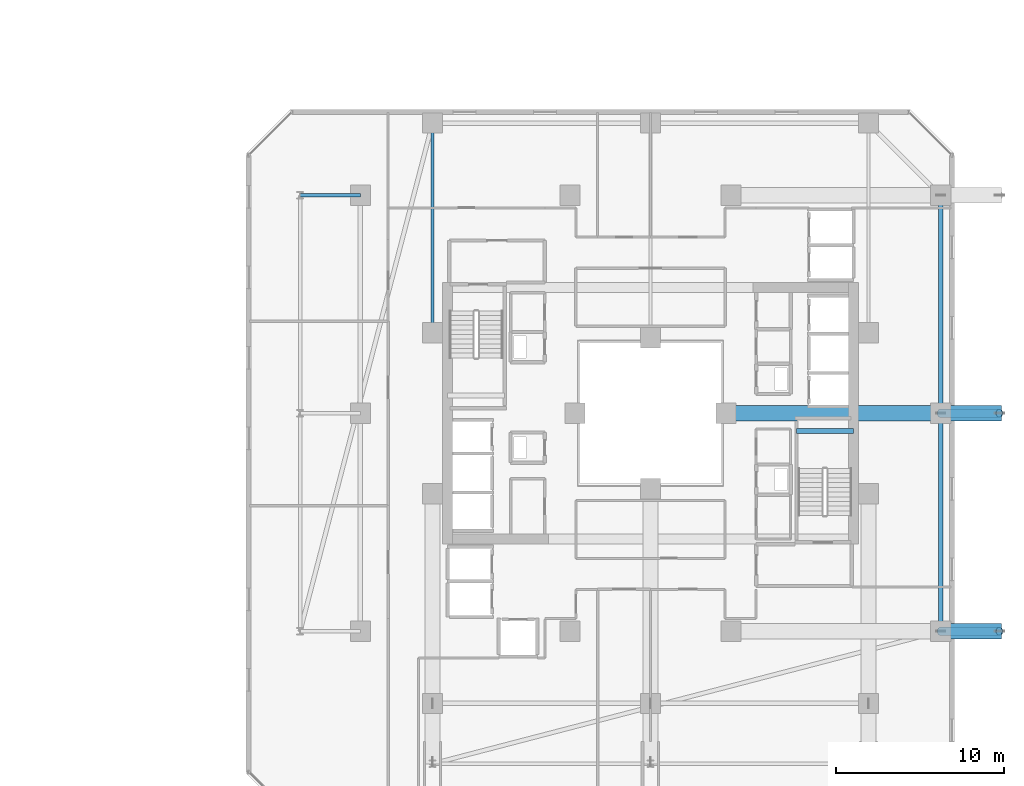
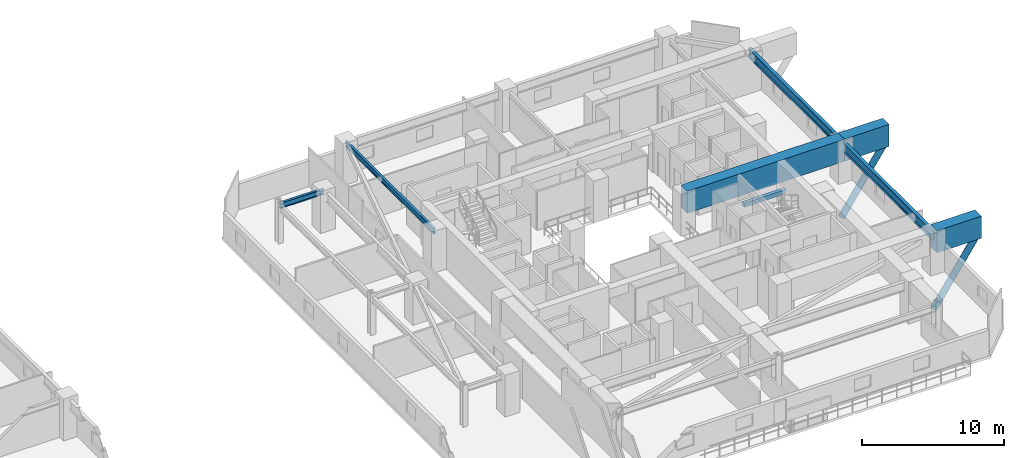
# One storey, part 14 of 36: 8 beams, 2 members.
"""IFC4 building model written with IfcOpenShell, lengths in metres."""

from ifc_helpers import new_model, si_unit, direction, frame, origin, origin_2d, place, context, subcontext, project, spatial, rectangle, hollow_circle, i_section, extrude, material, material_profile, profile_set, type_object, element, save


model = new_model("IFC4")

# Units and contexts
model_context = context("Model", 3, precision=1e-05, world=origin(), true_north=direction((0.0, 1.0)))
body_context = subcontext(model_context, "Body", "Model", "MODEL_VIEW")
ifc_project = project(units=[si_unit("LENGTHUNIT", "METRE"), si_unit("AREAUNIT", "SQUARE_METRE"), si_unit("VOLUMEUNIT", "CUBIC_METRE"), si_unit("PLANEANGLEUNIT", "RADIAN"), si_unit("MASSUNIT", "GRAM", prefix="KILO")], contexts=[model_context])

# Site, building, storey
site_placement = place(None, origin())
site = spatial("IfcSite", under=ifc_project, at=site_placement, CompositionType="ELEMENT")
building_placement = place(site_placement, origin())
building = spatial("IfcBuilding", under=site, at=building_placement, Name="Thornwick Lancets Civic Towers", CompositionType="ELEMENT")
storey_placement = place(building_placement, frame((0.0, 0.0, 116.10009765625)))
storey = spatial("IfcBuildingStorey", under=building, at=storey_placement, Name="L30", CompositionType="ELEMENT", Elevation=116.10009765625)

# Beams
ifc_material_1 = material(Name="Steel S355JR", Category="steel")
ifc_material_profile_1 = material_profile(ifc_material_1, i_section(OverallWidth=0.26806640625, OverallDepth=0.769775390625, WebThickness=0.015625, FlangeThickness=0.025390625, FilletRadius=0.0166015625, at=origin_2d()), Name="UKB 762x267x197")
ifc_profile_set_1 = profile_set([ifc_material_profile_1], Name="Steel S355JR")
beam_type_1 = type_object("IfcBeamType", Name="BM_GIRD_762_197", PredefinedType="BEAM", material=ifc_profile_set_1)
beam_1_placement = place(storey_placement, frame((105.800048828125, 14.0, 2.955078125), z_axis=(0.0, 1.0, 0.0), x_axis=(-1.0, 0.0, 0.0)))
element("IfcBeam", 1, at=beam_1_placement, inside=storey, type_object=beam_type_1, Name="BM-SPINE-L30-B-0-1", PredefinedType="BEAM", context=body_context, shape_type="SweptSolid", body=[
    extrude(i_section(OverallWidth=0.26806640625, OverallDepth=0.769775390625, WebThickness=0.015625, FlangeThickness=0.025390625, FilletRadius=0.0166015625, at=origin_2d()), origin(), (0.0, 0.0, 1.0), 13.0),
])
beam_2_placement = place(storey_placement, frame((105.800048828125, 27.080078125, 2.955078125), z_axis=(0.0, 1.0, 0.0), x_axis=(-1.0, 0.0, 0.0)))
element("IfcBeam", 2, at=beam_2_placement, inside=storey, type_object=beam_type_1, Name="BM-SPINE-L30-B-1-2", PredefinedType="BEAM", context=body_context, shape_type="SweptSolid", body=[
    extrude(i_section(OverallWidth=0.26806640625, OverallDepth=0.769775390625, WebThickness=0.015625, FlangeThickness=0.025390625, FilletRadius=0.0166015625, at=origin_2d()), origin(), (0.0, 0.0, 1.0), 12.919921875),
])
ifc_material_profile_2 = material_profile(ifc_material_1, i_section(OverallWidth=0.19189453125, OverallDepth=0.46337890625, WebThickness=0.010498046875, FlangeThickness=0.017578125, FilletRadius=0.01025390625, at=origin_2d()), Name="UKB 457x191x89")
ifc_profile_set_2 = profile_set([ifc_material_profile_2], Name="Steel S355JR")
beam_type_2 = type_object("IfcBeamType", Name="BM_JOIST_457_89", PredefinedType="JOIST", material=ifc_profile_set_2)
beam_3_placement = place(storey_placement, frame((75.5, 31.800048828125, 3.108154296875), z_axis=(0.0, 1.0, 0.0), x_axis=(-1.0, 0.0, 0.0)))
element("IfcBeam", 3, at=beam_3_placement, inside=storey, type_object=beam_type_2, Name="BM-RADIN-L30-B06", PredefinedType="JOIST", context=body_context, shape_type="SweptSolid", body=[
    extrude(i_section(OverallWidth=0.19189453125, OverallDepth=0.46337890625, WebThickness=0.010498046875, FlangeThickness=0.017578125, FilletRadius=0.01025390625, at=origin_2d()), origin(), (0.0, 0.0, 1.0), 12.5),
])
beam_4_placement = place(storey_placement, frame((71.199951171875, 40.0, 3.108154296875), z_axis=(-1.0, 0.0, 0.0), x_axis=(0.0, -1.0, 0.0)))
element("IfcBeam", 4, at=beam_4_placement, inside=storey, type_object=beam_type_2, Name="BM-RAD-L30-B09", PredefinedType="JOIST", context=body_context, shape_type="SweptSolid", body=[
    extrude(i_section(OverallWidth=0.19189453125, OverallDepth=0.46337890625, WebThickness=0.010498046875, FlangeThickness=0.017578125, FilletRadius=0.01025390625, at=origin_2d()), origin(), (0.0, 0.0, 1.0), 3.599853515625),
])
ifc_material_2 = material(Name="Concrete C40/50", Category="concrete")
ifc_material_profile_3 = material_profile(ifc_material_2, rectangle(XDim=0.300048828125, YDim=0.35009765625, at=origin_2d()), Name="RC 300x350")
ifc_profile_set_3 = profile_set([ifc_material_profile_3], Name="Concrete C40/50")
beam_type_3 = type_object("IfcBeamType", Name="BM_STAIR_LDG", PredefinedType="BEAM", material=ifc_profile_set_3)
beam_5_placement = place(storey_placement, frame((100.60009765625, 25.93505859375, 1.3779296875), z_axis=(-1.0, 0.0, 0.0), x_axis=(0.0, -1.0, 0.0)))
element("IfcBeam", 5, at=beam_5_placement, inside=storey, type_object=beam_type_3, Name="L30 ST-B1 Landing Support Beam 1", PredefinedType="BEAM", context=body_context, shape_type="SweptSolid", body=[
    extrude(rectangle(XDim=0.300048828125, YDim=0.35009765625, at=origin_2d()), origin(), (0.0, 0.0, 1.0), 3.400146484375),
])
ifc_material_3 = material(Name="Concrete C60/75", Category="concrete")
ifc_material_profile_4 = material_profile(ifc_material_3, rectangle(XDim=0.89990234375, YDim=1.89990234375, at=origin_2d()), Name="RC 900x1900")
ifc_profile_set_4 = profile_set([ifc_material_profile_4], Name="Concrete C60/75")
beam_type_4 = type_object("IfcBeamType", Name="BM_TR_RC1900", PredefinedType="BEAM", material=ifc_profile_set_4)
beam_6_placement = place(storey_placement, frame((105.800048828125, 14.0, 2.64990234375), z_axis=(1.0, 0.0, 0.0), x_axis=(0.0, 1.0, 0.0)))
element("IfcBeam", 6, at=beam_6_placement, inside=storey, type_object=beam_type_4, Name="TG-CANT-L31-B01", PredefinedType="BEAM", context=body_context, shape_type="SweptSolid", body=[
    extrude(rectangle(XDim=0.89990234375, YDim=1.89990234375, at=origin_2d()), origin(), (0.0, 0.0, 1.0), 3.619873046875),
])
beam_7_placement = place(storey_placement, frame((93.0, 27.0, 2.64990234375), z_axis=(1.0, 0.0, 0.0), x_axis=(0.0, 1.0, 0.0)))
element("IfcBeam", 7, at=beam_7_placement, inside=storey, type_object=beam_type_4, Name="TG-BACK-L31-B02", PredefinedType="BEAM", context=body_context, shape_type="SweptSolid", body=[
    extrude(rectangle(XDim=0.89990234375, YDim=1.89990234375, at=origin_2d()), origin(), (0.0, 0.0, 1.0), 12.800048828125),
])
beam_8_placement = place(storey_placement, frame((105.800048828125, 27.0, 2.64990234375), z_axis=(1.0, 0.0, 0.0), x_axis=(0.0, 1.0, 0.0)))
element("IfcBeam", 8, at=beam_8_placement, inside=storey, type_object=beam_type_4, Name="TG-CANT-L31-B02", PredefinedType="BEAM", context=body_context, shape_type="SweptSolid", body=[
    extrude(rectangle(XDim=0.89990234375, YDim=1.89990234375, at=origin_2d()), origin(), (0.0, 0.0, 1.0), 3.619873046875),
])

# Members
ifc_material_4 = material(Name="Steel S460M", Category="steel")
ifc_material_profile_5 = material_profile(ifc_material_4, hollow_circle(Radius=0.25390625, WallThickness=0.02490234375, at=origin_2d()), Name="CHS 508x25")
ifc_profile_set_5 = profile_set([ifc_material_profile_5], Name="Steel S460M")
member_type = type_object("IfcMemberType", Name="MEM_STRUT_CHS508", PredefinedType="STRUT", material=ifc_profile_set_5)
for number, where, z_axis, x_axis, name in (
    (9, (105.800048828125, 14.0, -3.35009765625), (0.563595410885, 0.0, 0.826050974716), (0.0, 1.0, 0.0), "L31 Jenga Transfer Raking Strut B01"),
    (10, (105.800048828125, 27.0, -3.35009765625), (0.563595410885, 0.0, 0.826050974716), (0.0, 1.0, 0.0), "L31 Jenga Transfer Raking Strut B02"),
):
    element("IfcMember", number, at=place(storey_placement, frame(where, z_axis=z_axis, x_axis=x_axis)), inside=storey, type_object=member_type, Name=name, PredefinedType="STRUT", context=body_context, shape_type="SweptSolid", body=[
        extrude(hollow_circle(Radius=0.25390625, WallThickness=0.02490234375, at=origin_2d()), origin(), (0.0, 0.0, 1.0), 6.210205078125),
    ])

save(model, "model.ifc")
